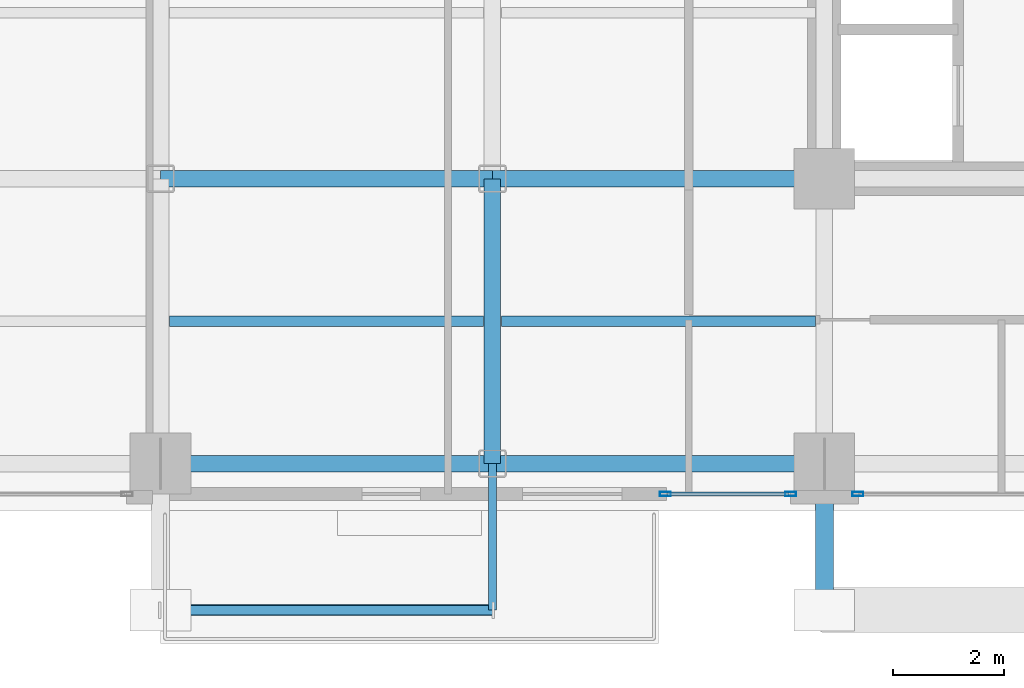
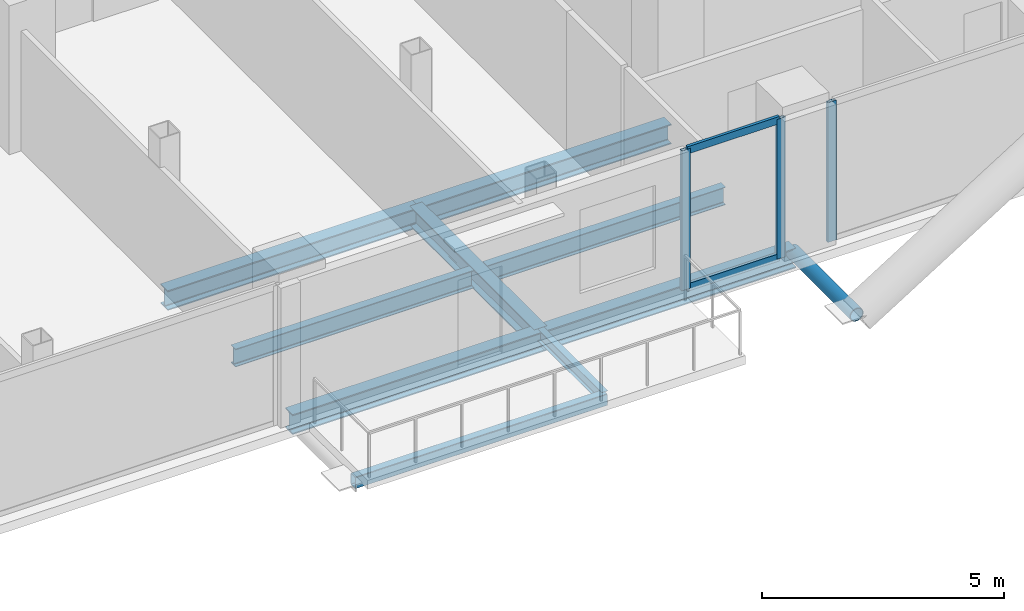
# One storey, part 3 of 26: 9 beams, 6 members, 2 elements without a shape of their own.
"""IFC4 building model written with IfcOpenShell, lengths in metres."""

from ifc_helpers import new_model, si_unit, direction, frame, origin, origin_2d, place, context, subcontext, project, spatial, hollow_rectangle, hollow_circle, i_section, extrude, material, layer, layer_set, material_profile, profile_set, type_object, element, aggregate, save


model = new_model("IFC4")

# Units and contexts
model_context = context("Model", 3, precision=1e-05, world=origin(), true_north=direction((0.0, 1.0)))
body_context = subcontext(model_context, "Body", "Model", "MODEL_VIEW")
ifc_project = project(units=[si_unit("LENGTHUNIT", "METRE"), si_unit("AREAUNIT", "SQUARE_METRE"), si_unit("VOLUMEUNIT", "CUBIC_METRE"), si_unit("PLANEANGLEUNIT", "RADIAN"), si_unit("MASSUNIT", "GRAM", prefix="KILO"), si_unit("THERMODYNAMICTEMPERATUREUNIT", "KELVIN"), si_unit("POWERUNIT", "WATT")], contexts=[model_context])

# Site, building, storey
site_placement = place(None, origin())
site = spatial("IfcSite", under=ifc_project, at=site_placement, CompositionType="ELEMENT")
building_placement = place(site_placement, origin())
building = spatial("IfcBuilding", under=site, at=building_placement, Name="Svarakhadi Broadcast Tower", CompositionType="ELEMENT")
storey_placement = place(building_placement, frame((0.0, 0.0, 99.60009765625)))
storey = spatial("IfcBuildingStorey", under=building, at=storey_placement, Name="L23", CompositionType="ELEMENT", Elevation=99.60009765625)

# Beams
ifc_material_1 = material(Name="Steel S355J2 (IS 2062 E350C)", Category="steel")
ifc_material_profile_1 = material_profile(ifc_material_1, i_section(OverallWidth=0.18994140625, OverallDepth=0.449951171875, WebThickness=0.009521484375, FlangeThickness=0.0146484375, FilletRadius=0.02099609375, at=origin_2d()), Name="NPB 450x190x78")
ifc_profile_set_1 = profile_set([ifc_material_profile_1], Name="Steel S355J2 (IS 2062 E350C)")
beam_type_1 = type_object("IfcBeamType", Name="Beam_NPB450", PredefinedType="BEAM", material=ifc_profile_set_1)
for number, where, z_axis, x_axis, name in (
    (1, (12.159912109375, 3.425048828125, -0.4501953125), (1.0, 0.0, 0.0), (0.0, 1.0, 0.0), "L23 Secondary Composite Beam SB012"),
    (2, (18.159912109375, 3.425048828125, -0.4501953125), (1.0, 0.0, 0.0), (0.0, 1.0, 0.0), "L23 Secondary Composite Beam SB017"),
):
    element("IfcBeam", number, at=place(storey_placement, frame(where, z_axis=z_axis, x_axis=x_axis)), inside=storey, type_object=beam_type_1, Name=name, PredefinedType="BEAM", context=body_context, shape_type="SweptSolid", body=[
        extrude(i_section(OverallWidth=0.18994140625, OverallDepth=0.449951171875, WebThickness=0.009521484375, FlangeThickness=0.0146484375, FilletRadius=0.02099609375, at=origin_2d()), origin(), (0.0, 0.0, 1.0), 5.68017578125),
    ])

# Curtain wall, member
ifc_material_2 = material(Name="Anodised Bronze Aluminium AA 6063-T6", Category="aluminium")
ifc_layer = layer(ifc_material_2, 0.199951171875)
ifc_layer_set = layer_set([ifc_layer], Name="Anodised Bronze Aluminium AA 6063-T6")
curtain_wall_type = type_object("IfcCurtainWallType", Name="CW_Sys_03", PredefinedType="NOTDEFINED", material=ifc_layer_set)
curtain_wall_1_placement = place(storey_placement, origin())
curtain_wall_1 = element("IfcCurtainWall", 3, at=curtain_wall_1_placement, inside=storey, type_object=curtain_wall_type, Name="L23 South Curtain Wall 14 Bay 3", PredefinedType="NOTDEFINED")
ifc_material_profile_2 = material_profile(ifc_material_2, hollow_rectangle(XDim=0.074951171875, YDim=0.199951171875, WallThickness=0.005615234375, at=origin_2d()), Name="ALU MULLION 200x75x6")
ifc_profile_set_2 = profile_set([ifc_material_profile_2], Name="Anodised Bronze Aluminium AA 6063-T6")
member_type_1 = type_object("IfcMemberType", Name="CW_Sys_03_Mul", PredefinedType="MULLION", material=ifc_profile_set_2)
member_1_placement = place(storey_placement, frame((24.607421875, 0.300048828125, 0.0), z_axis=(0.0, 0.0, 1.0), x_axis=(0.0, -1.0, 0.0)))
member_1 = element("IfcMember", 4, at=member_1_placement, type_object=member_type_1, Name="CW-03 mullion 2", PredefinedType="MULLION", context=body_context, shape_type="SweptSolid", body=[
    extrude(hollow_rectangle(XDim=0.074951171875, YDim=0.199951171875, WallThickness=0.005615234375, at=origin_2d()), origin(), (0.0, 0.0, 1.0), 3.52490234375),
])
aggregate(curtain_wall_1, [member_1])

# Curtain wall, members
curtain_wall_2_placement = place(storey_placement, origin())
curtain_wall_2 = element("IfcCurtainWall", 5, at=curtain_wall_2_placement, inside=storey, type_object=curtain_wall_type, Name="L23 South Curtain Wall 14 Bay 4", PredefinedType="NOTDEFINED")
member_2_placement = place(storey_placement, frame((23.392578125, 0.300048828125, 0.0), z_axis=(0.0, 0.0, 1.0), x_axis=(0.0, -1.0, 0.0)))
member_2 = element("IfcMember", 6, at=member_2_placement, type_object=member_type_1, Name="CW-03 mullion 1", PredefinedType="MULLION", context=body_context, shape_type="SweptSolid", body=[
    extrude(hollow_rectangle(XDim=0.074951171875, YDim=0.199951171875, WallThickness=0.005615234375, at=origin_2d()), origin(), (0.0, 0.0, 1.0), 3.52490234375),
])
member_3_placement = place(storey_placement, frame((21.12744140625, 0.300048828125, 0.0), z_axis=(0.0, 0.0, 1.0), x_axis=(0.0, -1.0, 0.0)))
member_3 = element("IfcMember", 7, at=member_3_placement, type_object=member_type_1, Name="CW-03 mullion 2", PredefinedType="MULLION", context=body_context, shape_type="SweptSolid", body=[
    extrude(hollow_rectangle(XDim=0.074951171875, YDim=0.199951171875, WallThickness=0.005615234375, at=origin_2d()), origin(), (0.0, 0.0, 1.0), 3.52490234375),
])
ifc_material_profile_3 = material_profile(ifc_material_2, hollow_rectangle(XDim=0.070068359375, YDim=0.18505859375, WallThickness=0.0048828125, at=origin_2d()), Name="ALU TRANSOM 185x70x5")
ifc_profile_set_3 = profile_set([ifc_material_profile_3], Name="Anodised Bronze Aluminium AA 6063-T6")
member_type_2 = type_object("IfcMemberType", Name="CW_Sys_03_Trn", PredefinedType="USERDEFINED", material=ifc_profile_set_3)
member_4_placement = place(storey_placement, frame((23.35498046875, 0.300048828125, 0.034912109375), z_axis=(-1.0, 0.0, 0.0), x_axis=(0.0, -1.0, 0.0)))
member_4 = element("IfcMember", 8, at=member_4_placement, type_object=member_type_2, Name="CW-03 transom 1.1", ObjectType="TRANSOM", PredefinedType="USERDEFINED", context=body_context, shape_type="SweptSolid", body=[
    extrude(hollow_rectangle(XDim=0.070068359375, YDim=0.18505859375, WallThickness=0.0048828125, at=origin_2d()), origin(), (0.0, 0.0, 1.0), 2.18994140625),
])
member_5_placement = place(storey_placement, frame((23.35498046875, 0.300048828125, 3.489990234375), z_axis=(-1.0, 0.0, 0.0), x_axis=(0.0, -1.0, 0.0)))
member_5 = element("IfcMember", 9, at=member_5_placement, type_object=member_type_2, Name="CW-03 transom 1.2", ObjectType="TRANSOM", PredefinedType="USERDEFINED", context=body_context, shape_type="SweptSolid", body=[
    extrude(hollow_rectangle(XDim=0.070068359375, YDim=0.18505859375, WallThickness=0.0048828125, at=origin_2d()), origin(), (0.0, 0.0, 1.0), 2.18994140625),
])
aggregate(curtain_wall_2, [member_2, member_3, member_4, member_5])

# Member
ifc_material_3 = material(Name="Steel S460ML (IS 2062 E450BR)", Category="steel")
ifc_material_profile_4 = material_profile(ifc_material_3, hollow_circle(Radius=0.161865234375, WallThickness=0.01611328125, at=origin_2d()), Name="CHS 323.9x16")
ifc_profile_set_4 = profile_set([ifc_material_profile_4], Name="Steel S460ML (IS 2062 E450BR)")
member_type_3 = type_object("IfcMemberType", Name="Exo_Radial_Strut_Z2", PredefinedType="STRUT", material=ifc_profile_set_4)
member_6_placement = place(storey_placement, frame((24.0, -1.800048828125, -0.386962890625), z_axis=(0.0, 1.0, 0.0), x_axis=(-1.0, 0.0, 0.0)))
element("IfcMember", 10, at=member_6_placement, inside=storey, type_object=member_type_3, Name="L23 Exoskeleton Radial Tie Strut S02", PredefinedType="STRUT", context=body_context, shape_type="SweptSolid", body=[
    extrude(hollow_circle(Radius=0.161865234375, WallThickness=0.01611328125, at=origin_2d()), origin(), (0.0, 0.0, 1.0), 2.650146484375),
])

# Beams
ifc_material_profile_5 = material_profile(ifc_material_1, i_section(OverallWidth=0.300048828125, OverallDepth=0.5, WebThickness=0.014404296875, FlangeThickness=0.028076171875, FilletRadius=0.027099609375, at=origin_2d()), Name="WPB 500x300x187")
ifc_profile_set_5 = profile_set([ifc_material_profile_5], Name="Steel S355J2 (IS 2062 E350C)")
beam_type_2 = type_object("IfcBeamType", Name="Girder_WPB500", PredefinedType="USERDEFINED", material=ifc_profile_set_5)
for number, where, z_axis, x_axis, name in (
    (11, (12.0, 0.85009765625, -0.47509765625), (1.0, 0.0, 0.0), (0.0, 1.0, 0.0), "L23 Primary E-W Girder G005"),
    (12, (18.0, 0.85009765625, -0.47509765625), (1.0, 0.0, 0.0), (0.0, 1.0, 0.0), "L23 Primary E-W Girder G006"),
    (13, (12.0, 6.0, -0.47509765625), (1.0, 0.0, 0.0), (0.0, 1.0, 0.0), "L23 Primary E-W Girder G013"),
    (14, (18.0, 6.0, -0.47509765625), (1.0, 0.0, 0.0), (0.0, 1.0, 0.0), "L23 Primary E-W Girder G014"),
):
    element("IfcBeam", number, at=place(storey_placement, frame(where, z_axis=z_axis, x_axis=x_axis)), inside=storey, type_object=beam_type_2, Name=name, ObjectType="GIRDER", PredefinedType="USERDEFINED", context=body_context, shape_type="SweptSolid", body=[
        extrude(i_section(OverallWidth=0.300048828125, OverallDepth=0.5, WebThickness=0.014404296875, FlangeThickness=0.028076171875, FilletRadius=0.027099609375, at=origin_2d()), origin(), (0.0, 0.0, 1.0), 6.0),
    ])
beam_1_placement = place(storey_placement, frame((18.0, 0.85009765625, -0.47509765625), z_axis=(0.0, 1.0, 0.0), x_axis=(-1.0, 0.0, 0.0)))
element("IfcBeam", 15, at=beam_1_placement, inside=storey, type_object=beam_type_2, Name="L23 Primary N-S Girder G059", ObjectType="GIRDER", PredefinedType="USERDEFINED", context=body_context, shape_type="SweptSolid", body=[
    extrude(i_section(OverallWidth=0.300048828125, OverallDepth=0.5, WebThickness=0.014404296875, FlangeThickness=0.028076171875, FilletRadius=0.027099609375, at=origin_2d()), origin(), (0.0, 0.0, 1.0), 5.14990234375),
])
ifc_material_profile_6 = material_profile(ifc_material_1, i_section(OverallWidth=0.14990234375, OverallDepth=0.300048828125, WebThickness=0.007080078125, FlangeThickness=0.0107421875, FilletRadius=0.014892578125, at=origin_2d()), Name="NPB 300x150x37")
ifc_profile_set_6 = profile_set([ifc_material_profile_6], Name="Steel S355J2 (IS 2062 E350C)")
beam_type_3 = type_object("IfcBeamType", Name="Spandrel_NPB300", PredefinedType="SPANDREL", material=ifc_profile_set_6)
beam_2_placement = place(storey_placement, frame((18.0, 0.85009765625, -0.375), z_axis=(0.0, -1.0, 0.0), x_axis=(1.0, 0.0, 0.0)))
element("IfcBeam", 16, at=beam_2_placement, inside=storey, type_object=beam_type_3, Name="L23 Balcony Cantilever Bracket 1B", PredefinedType="SPANDREL", context=body_context, shape_type="SweptSolid", body=[
    extrude(i_section(OverallWidth=0.14990234375, OverallDepth=0.300048828125, WebThickness=0.007080078125, FlangeThickness=0.0107421875, FilletRadius=0.014892578125, at=origin_2d()), origin(), (0.0, 0.0, 1.0), 2.650146484375),
])
ifc_material_profile_7 = material_profile(ifc_material_3, hollow_rectangle(XDim=0.199951171875, YDim=0.300048828125, WallThickness=0.012451171875, InnerFilletRadius=0.012451171875, OuterFilletRadius=0.02490234375, at=origin_2d()), Name="RHS 300x200x12.5")
ifc_profile_set_7 = profile_set([ifc_material_profile_7], Name="Steel S460ML (IS 2062 E450BR)")
beam_type_4 = type_object("IfcBeamType", Name="Spandrel_RHS300", PredefinedType="SPANDREL", material=ifc_profile_set_7)
beam_3_placement = place(storey_placement, frame((12.0, -1.800048828125, -0.375), z_axis=(1.0, 0.0, 0.0), x_axis=(0.0, 1.0, 0.0)))
element("IfcBeam", 17, at=beam_3_placement, inside=storey, type_object=beam_type_4, Name="L23 Balcony Outer Spandrel 1F", PredefinedType="SPANDREL", context=body_context, shape_type="SweptSolid", body=[
    extrude(hollow_rectangle(XDim=0.199951171875, YDim=0.300048828125, WallThickness=0.012451171875, InnerFilletRadius=0.012451171875, OuterFilletRadius=0.02490234375, at=origin_2d()), origin(), (0.0, 0.0, 1.0), 6.0),
])

save(model, "model.ifc")
